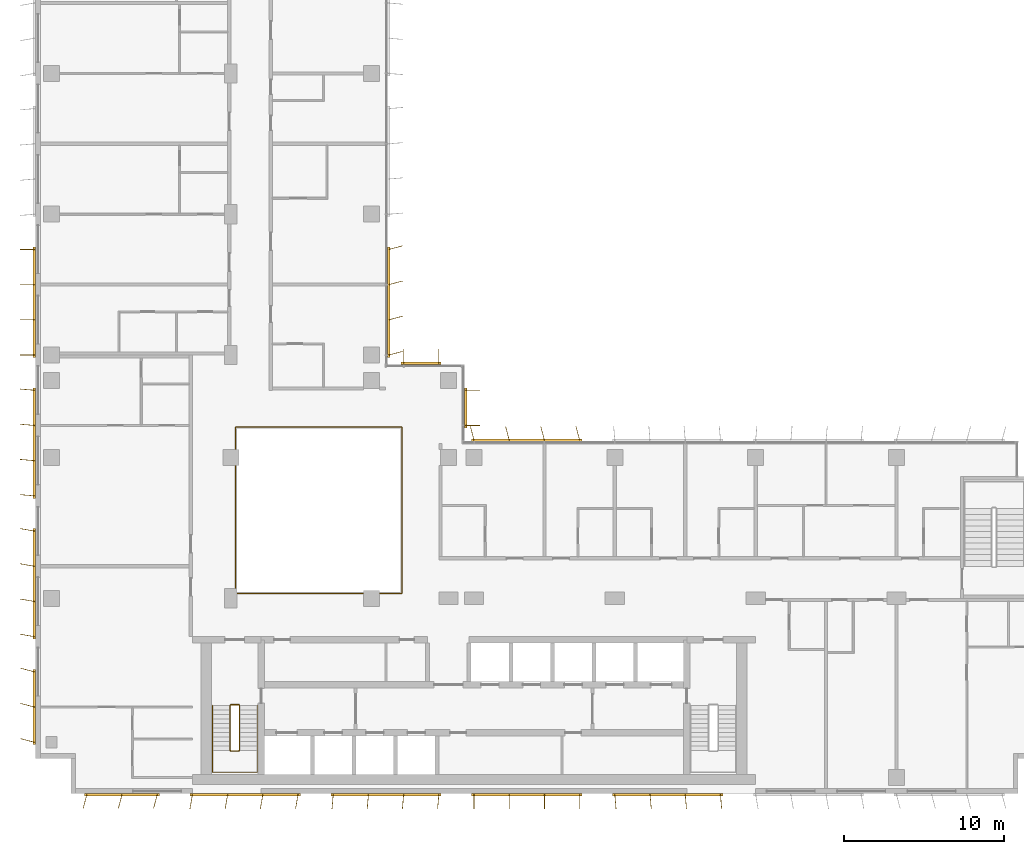
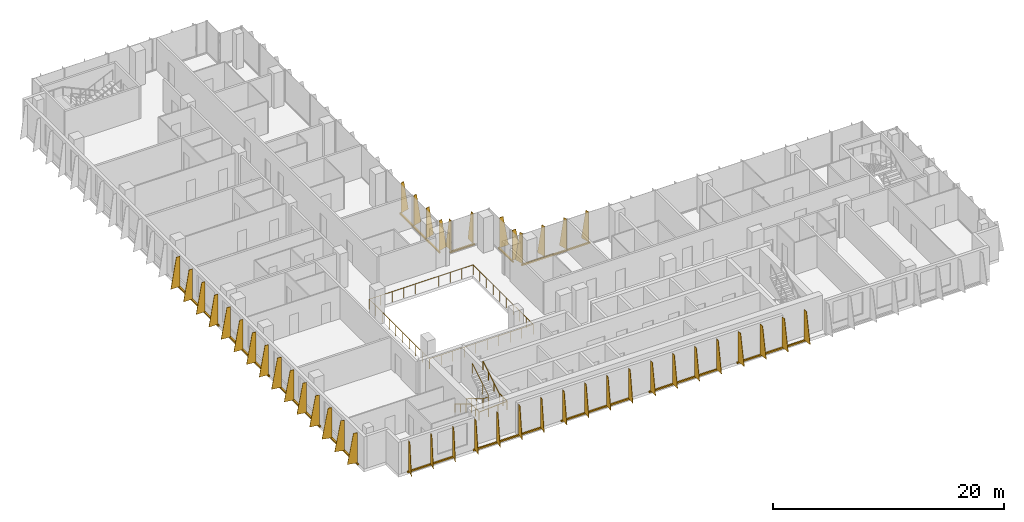
# One storey, part 19 of 21: 13 shading devices, 3 railings.
"""IFC4 building model written with IfcOpenShell, lengths in metres."""

from ifc_helpers import new_model, si_unit, direction, frame, origin, origin_2d, place, context, subcontext, project, spatial, polyline, rectangle, circle, outline, extrude, source, transform, mapped, material, layer, layer_set, type_object, element, save


model = new_model("IFC4")

# Units and contexts
model_context = context("Model", 3, precision=1e-05, world=origin(), true_north=direction((0.0, 1.0)))
body_context = subcontext(model_context, "Body", "Model", "MODEL_VIEW")
ifc_project = project(units=[si_unit("LENGTHUNIT", "METRE"), si_unit("AREAUNIT", "SQUARE_METRE"), si_unit("VOLUMEUNIT", "CUBIC_METRE"), si_unit("PLANEANGLEUNIT", "RADIAN"), si_unit("MASSUNIT", "GRAM", prefix="KILO")], contexts=[model_context])

# Site, building, storey
site_placement = place(None, origin())
site = spatial("IfcSite", under=ifc_project, at=site_placement, CompositionType="ELEMENT")
building_placement = place(site_placement, origin())
building = spatial("IfcBuilding", under=site, at=building_placement, Name="Kemantara Hotel Tower", CompositionType="ELEMENT")
storey_placement = place(building_placement, frame((0.0, 0.0, 211.699951171875)))
storey = spatial("IfcBuildingStorey", under=building, at=storey_placement, Name="L52", CompositionType="ELEMENT", Elevation=211.699951171875)

# Railings
ifc_material_1 = material(Name="Stainless steel and laminated glass balustrade", Category="steel")
railing_type_1 = type_object("IfcRailingType", Name="ATRIUM GUARD 1100", PredefinedType="GUARDRAIL", material=ifc_material_1)
railing_1_placement = place(storey_placement, frame((12.56005859375, 12.5, 0.0)))
element("IfcRailing", 1, at=railing_1_placement, inside=storey, type_object=railing_type_1, Name="ATRIUM GUARD L52", PredefinedType="GUARDRAIL", context=body_context, shape_type="SweptSolid", body=[
    extrude(circle(Radius=0.02490234375, at=origin_2d()), frame((0.0, 0.0, 1.0751953125), z_axis=(1.0, 0.0, 0.0), x_axis=(0.0, 1.0, 0.0)), (0.0, 0.0, 1.0), 10.33984375),
    extrude(circle(Radius=0.02490234375, at=origin_2d()), frame((10.33984375, 0.0, 1.0751953125), z_axis=(0.0, 1.0, 0.0), x_axis=(-1.0, 0.0, 0.0)), (0.0, 0.0, 1.0), 10.39990234375),
    extrude(circle(Radius=0.02490234375, at=origin_2d()), frame((10.33984375, 10.39990234375, 1.0751953125), z_axis=(-1.0, 0.0, 0.0), x_axis=(0.0, -1.0, 0.0)), (0.0, 0.0, 1.0), 10.39990234375),
    extrude(circle(Radius=0.02490234375, at=origin_2d()), frame((-0.06005859375, 10.39990234375, 1.0751953125), z_axis=(0.0, -1.0, 0.0), x_axis=(1.0, 0.0, 0.0)), (0.0, 0.0, 1.0), 10.39990234375),
    extrude(circle(Radius=0.02001953125, at=origin_2d()), origin(), (0.0, 0.0, 1.0), 1.050048828125),
    extrude(circle(Radius=0.02001953125, at=origin_2d()), frame((1.14892578125, 0.0, 0.0)), (0.0, 0.0, 1.0), 1.050048828125),
    extrude(circle(Radius=0.02001953125, at=origin_2d()), frame((2.2978515625, 0.0, 0.0)), (0.0, 0.0, 1.0), 1.050048828125),
    extrude(circle(Radius=0.02001953125, at=origin_2d()), frame((3.446533203125, 0.0, 0.0)), (0.0, 0.0, 1.0), 1.050048828125),
    extrude(circle(Radius=0.02001953125, at=origin_2d()), frame((4.595458984375, 0.0, 0.0)), (0.0, 0.0, 1.0), 1.050048828125),
    extrude(circle(Radius=0.02001953125, at=origin_2d()), frame((5.744384765625, 0.0, 0.0)), (0.0, 0.0, 1.0), 1.050048828125),
    extrude(circle(Radius=0.02001953125, at=origin_2d()), frame((6.893310546875, 0.0, 0.0)), (0.0, 0.0, 1.0), 1.050048828125),
    extrude(circle(Radius=0.02001953125, at=origin_2d()), frame((8.0419921875, 0.0, 0.0)), (0.0, 0.0, 1.0), 1.050048828125),
    extrude(circle(Radius=0.02001953125, at=origin_2d()), frame((9.19091796875, 0.0, 0.0)), (0.0, 0.0, 1.0), 1.050048828125),
    extrude(circle(Radius=0.02001953125, at=origin_2d()), frame((10.33984375, 0.0, 0.0)), (0.0, 0.0, 1.0), 1.050048828125),
    extrude(circle(Radius=0.02001953125, at=origin_2d()), frame((10.33984375, 1.155517578125, 0.0)), (0.0, 0.0, 1.0), 1.050048828125),
    extrude(circle(Radius=0.02001953125, at=origin_2d()), frame((10.33984375, 2.31103515625, 0.0)), (0.0, 0.0, 1.0), 1.050048828125),
    extrude(circle(Radius=0.02001953125, at=origin_2d()), frame((10.33984375, 3.466552734375, 0.0)), (0.0, 0.0, 1.0), 1.050048828125),
    extrude(circle(Radius=0.02001953125, at=origin_2d()), frame((10.33984375, 4.6220703125, 0.0)), (0.0, 0.0, 1.0), 1.050048828125),
    extrude(circle(Radius=0.02001953125, at=origin_2d()), frame((10.33984375, 5.77783203125, 0.0)), (0.0, 0.0, 1.0), 1.050048828125),
    extrude(circle(Radius=0.02001953125, at=origin_2d()), frame((10.33984375, 6.933349609375, 0.0)), (0.0, 0.0, 1.0), 1.050048828125),
    extrude(circle(Radius=0.02001953125, at=origin_2d()), frame((10.33984375, 8.0888671875, 0.0)), (0.0, 0.0, 1.0), 1.050048828125),
    extrude(circle(Radius=0.02001953125, at=origin_2d()), frame((10.33984375, 9.244384765625, 0.0)), (0.0, 0.0, 1.0), 1.050048828125),
    extrude(circle(Radius=0.02001953125, at=origin_2d()), frame((10.33984375, 10.39990234375, 0.0)), (0.0, 0.0, 1.0), 1.050048828125),
    extrude(circle(Radius=0.02001953125, at=origin_2d()), frame((9.184326171875, 10.39990234375, 0.0)), (0.0, 0.0, 1.0), 1.050048828125),
    extrude(circle(Radius=0.02001953125, at=origin_2d()), frame((8.02880859375, 10.39990234375, 0.0)), (0.0, 0.0, 1.0), 1.050048828125),
    extrude(circle(Radius=0.02001953125, at=origin_2d()), frame((6.873291015625, 10.39990234375, 0.0)), (0.0, 0.0, 1.0), 1.050048828125),
    extrude(circle(Radius=0.02001953125, at=origin_2d()), frame((5.7177734375, 10.39990234375, 0.0)), (0.0, 0.0, 1.0), 1.050048828125),
    extrude(circle(Radius=0.02001953125, at=origin_2d()), frame((4.56201171875, 10.39990234375, 0.0)), (0.0, 0.0, 1.0), 1.050048828125),
    extrude(circle(Radius=0.02001953125, at=origin_2d()), frame((3.406494140625, 10.39990234375, 0.0)), (0.0, 0.0, 1.0), 1.050048828125),
    extrude(circle(Radius=0.02001953125, at=origin_2d()), frame((2.2509765625, 10.39990234375, 0.0)), (0.0, 0.0, 1.0), 1.050048828125),
    extrude(circle(Radius=0.02001953125, at=origin_2d()), frame((1.095458984375, 10.39990234375, 0.0)), (0.0, 0.0, 1.0), 1.050048828125),
    extrude(circle(Radius=0.02001953125, at=origin_2d()), frame((-0.06005859375, 10.39990234375, 0.0)), (0.0, 0.0, 1.0), 1.050048828125),
    extrude(circle(Radius=0.02001953125, at=origin_2d()), frame((-0.06005859375, 9.244384765625, 0.0)), (0.0, 0.0, 1.0), 1.050048828125),
    extrude(circle(Radius=0.02001953125, at=origin_2d()), frame((-0.06005859375, 8.0888671875, 0.0)), (0.0, 0.0, 1.0), 1.050048828125),
    extrude(circle(Radius=0.02001953125, at=origin_2d()), frame((-0.06005859375, 6.933349609375, 0.0)), (0.0, 0.0, 1.0), 1.050048828125),
    extrude(circle(Radius=0.02001953125, at=origin_2d()), frame((-0.06005859375, 5.77783203125, 0.0)), (0.0, 0.0, 1.0), 1.050048828125),
    extrude(circle(Radius=0.02001953125, at=origin_2d()), frame((-0.06005859375, 4.6220703125, 0.0)), (0.0, 0.0, 1.0), 1.050048828125),
    extrude(circle(Radius=0.02001953125, at=origin_2d()), frame((-0.06005859375, 3.466552734375, 0.0)), (0.0, 0.0, 1.0), 1.050048828125),
    extrude(circle(Radius=0.02001953125, at=origin_2d()), frame((-0.06005859375, 2.31103515625, 0.0)), (0.0, 0.0, 1.0), 1.050048828125),
    extrude(circle(Radius=0.02001953125, at=origin_2d()), frame((-0.06005859375, 1.155517578125, 0.0)), (0.0, 0.0, 1.0), 1.050048828125),
    extrude(circle(Radius=0.02001953125, at=origin_2d()), frame((-0.06005859375, 0.0, 0.0)), (0.0, 0.0, 1.0), 1.050048828125),
])
ifc_material_2 = material(Name="Stainless steel balustrade", Category="steel")
railing_type_2 = type_object("IfcRailingType", Name="Stair guard 1100 mm", PredefinedType="GUARDRAIL", material=ifc_material_2)
railing_2_placement = place(storey_placement, frame((12.75, 5.5, 3.699951171875)))
element("IfcRailing", 2, at=railing_2_placement, inside=storey, type_object=railing_type_2, Name="L52 ST1 stair guard 1", PredefinedType="GUARDRAIL", context=body_context, shape_type="SweptSolid", body=[
    extrude(circle(Radius=0.02392578125, at=origin_2d()), frame((0.0, 0.0, 1.076171875), z_axis=(0.0, -0.857275202839, -0.514858452973), x_axis=(1.0, 0.0, 0.0)), (0.0, 0.0, 1.0), 3.26611328125),
    extrude(circle(Radius=0.02392578125, at=origin_2d()), frame((0.0, -2.800048828125, -0.60546875), z_axis=(-0.274243871929, -0.274243871929, -0.92172696468), x_axis=(0.707106781187, -0.707106781187, 0.0)), (0.0, 0.0, 1.0), 0.1826171875),
    extrude(circle(Radius=0.02392578125, at=origin_2d()), frame((-0.050048828125, -2.85009765625, -0.77392578125), z_axis=(-1.0, 0.0, 0.0), x_axis=(0.0, -1.0, 0.0)), (0.0, 0.0, 1.0), 0.5),
    extrude(circle(Radius=0.02392578125, at=origin_2d()), frame((-0.550048828125, -2.85009765625, -0.77392578125), z_axis=(-0.707106781187, 0.707106781187, 0.0), x_axis=(-0.707106781187, -0.707106781187, 0.0)), (0.0, 0.0, 1.0), 0.07080078125),
    extrude(circle(Radius=0.02392578125, at=origin_2d()), frame((-0.60009765625, -2.800048828125, -0.77392578125), z_axis=(0.0, 0.857242210791, -0.514913383045), x_axis=(-1.0, 0.0, 0.0)), (0.0, 0.0, 1.0), 3.266357421875),
    extrude(circle(Radius=0.02392578125, at=origin_2d()), frame((-0.60009765625, 0.0, -2.45556640625), z_axis=(0.274243871929, 0.274243871929, -0.92172696468), x_axis=(-0.707106781187, 0.707106781187, 0.0)), (0.0, 0.0, 1.0), 0.1826171875),
    extrude(circle(Radius=0.02392578125, at=origin_2d()), frame((-0.550048828125, 0.050048828125, -2.6240234375), z_axis=(1.0, 0.0, 0.0), x_axis=(0.0, 1.0, 0.0)), (0.0, 0.0, 1.0), 0.5),
    extrude(circle(Radius=0.02099609375, at=origin_2d()), origin(), (0.0, 0.0, 1.0), 1.052001953125),
    extrude(circle(Radius=0.02099609375, at=origin_2d()), frame((0.0, -0.933349609375, -0.560546875)), (0.0, 0.0, 1.0), 1.052001953125),
    extrude(circle(Radius=0.02099609375, at=origin_2d()), frame((0.0, -1.86669921875, -1.12109375)), (0.0, 0.0, 1.0), 1.052001953125),
    extrude(circle(Radius=0.02099609375, at=origin_2d()), frame((0.0, -2.800048828125, -1.681640625)), (0.0, 0.0, 1.0), 1.052001953125),
    extrude(circle(Radius=0.02099609375, at=origin_2d()), frame((-0.050048828125, -2.85009765625, -1.849853515625)), (0.0, 0.0, 1.0), 1.052001953125),
    extrude(circle(Radius=0.02099609375, at=origin_2d()), frame((-0.550048828125, -2.85009765625, -1.849853515625)), (0.0, 0.0, 1.0), 1.052001953125),
    extrude(circle(Radius=0.02099609375, at=origin_2d()), frame((-0.60009765625, -2.800048828125, -1.849853515625)), (0.0, 0.0, 1.0), 1.052001953125),
    extrude(circle(Radius=0.02099609375, at=origin_2d()), frame((-0.60009765625, -1.86669921875, -2.410400390625)), (0.0, 0.0, 1.0), 1.052001953125),
    extrude(circle(Radius=0.02099609375, at=origin_2d()), frame((-0.60009765625, -0.933349609375, -2.97119140625)), (0.0, 0.0, 1.0), 1.052001953125),
    extrude(circle(Radius=0.02099609375, at=origin_2d()), frame((-0.60009765625, 0.0, -3.53173828125)), (0.0, 0.0, 1.0), 1.052001953125),
    extrude(circle(Radius=0.02099609375, at=origin_2d()), frame((-0.550048828125, 0.050048828125, -3.699951171875)), (0.0, 0.0, 1.0), 1.052001953125),
    extrude(circle(Radius=0.02099609375, at=origin_2d()), frame((-0.050048828125, 0.050048828125, -3.699951171875)), (0.0, 0.0, 1.0), 1.052001953125),
])
railing_type_3 = type_object("IfcRailingType", Name="Stair handrail 900 mm", PredefinedType="HANDRAIL", material=ifc_material_2)
railing_3_placement = place(storey_placement, frame((11.050048828125, 5.5, 0.168212890625)))
element("IfcRailing", 3, at=railing_3_placement, inside=storey, type_object=railing_type_3, Name="L52 ST1 stair handrail 1", PredefinedType="HANDRAIL", context=body_context, shape_type="SweptSolid", body=[
    extrude(circle(Radius=0.02392578125, at=origin_2d()), frame((0.0, 0.0, 0.8759765625), z_axis=(0.0, -0.857242210791, 0.514913383045), x_axis=(1.0, 0.0, 0.0)), (0.0, 0.0, 1.0), 3.266357421875),
    extrude(circle(Radius=0.02392578125, at=origin_2d()), frame((0.0, -2.800048828125, 2.5576171875), z_axis=(0.0, -1.0, 0.0), x_axis=(1.0, 0.0, 0.0)), (0.0, 0.0, 1.0), 1.3798828125),
    extrude(circle(Radius=0.02392578125, at=origin_2d()), frame((0.0, -4.179931640625, 2.5576171875), z_axis=(0.998200367801, 0.0, 0.059966871865), x_axis=(0.0, 1.0, 0.0)), (0.0, 0.0, 1.0), 2.80517578125),
    extrude(circle(Radius=0.02392578125, at=origin_2d()), frame((2.800048828125, -4.179931640625, 2.72607421875), z_axis=(0.0, 1.0, 0.0), x_axis=(-1.0, 0.0, 0.0)), (0.0, 0.0, 1.0), 1.3798828125),
    extrude(circle(Radius=0.02392578125, at=origin_2d()), frame((2.800048828125, -2.800048828125, 2.72607421875), z_axis=(0.0, 0.857275202839, 0.514858452973), x_axis=(-1.0, 0.0, 0.0)), (0.0, 0.0, 1.0), 3.26611328125),
    extrude(circle(Radius=0.02099609375, at=origin_2d()), origin(), (0.0, 0.0, 1.0), 0.851806640625),
    extrude(circle(Radius=0.02099609375, at=origin_2d()), frame((0.0, -0.933349609375, 0.560546875)), (0.0, 0.0, 1.0), 0.851806640625),
    extrude(circle(Radius=0.02099609375, at=origin_2d()), frame((0.0, -1.86669921875, 1.121337890625)), (0.0, 0.0, 1.0), 0.851806640625),
    extrude(circle(Radius=0.02099609375, at=origin_2d()), frame((0.0, -2.800048828125, 1.681884765625)), (0.0, 0.0, 1.0), 0.851806640625),
    extrude(circle(Radius=0.02099609375, at=origin_2d()), frame((0.0, -3.489990234375, 1.681884765625)), (0.0, 0.0, 1.0), 0.851806640625),
    extrude(circle(Radius=0.02099609375, at=origin_2d()), frame((0.0, -4.179931640625, 1.681884765625)), (0.0, 0.0, 1.0), 0.851806640625),
    extrude(circle(Radius=0.02099609375, at=origin_2d()), frame((0.933349609375, -4.179931640625, 1.738037109375)), (0.0, 0.0, 1.0), 0.851806640625),
    extrude(circle(Radius=0.02099609375, at=origin_2d()), frame((1.86669921875, -4.179931640625, 1.7939453125)), (0.0, 0.0, 1.0), 0.851806640625),
    extrude(circle(Radius=0.02099609375, at=origin_2d()), frame((2.800048828125, -4.179931640625, 1.85009765625)), (0.0, 0.0, 1.0), 0.851806640625),
    extrude(circle(Radius=0.02099609375, at=origin_2d()), frame((2.800048828125, -3.489990234375, 1.85009765625)), (0.0, 0.0, 1.0), 0.851806640625),
    extrude(circle(Radius=0.02099609375, at=origin_2d()), frame((2.800048828125, -2.800048828125, 1.85009765625)), (0.0, 0.0, 1.0), 0.851806640625),
    extrude(circle(Radius=0.02099609375, at=origin_2d()), frame((2.800048828125, -1.86669921875, 2.41064453125)), (0.0, 0.0, 1.0), 0.851806640625),
    extrude(circle(Radius=0.02099609375, at=origin_2d()), frame((2.800048828125, -0.933349609375, 2.97119140625)), (0.0, 0.0, 1.0), 0.851806640625),
    extrude(circle(Radius=0.02099609375, at=origin_2d()), frame((2.800048828125, 0.0, 3.53173828125)), (0.0, 0.0, 1.0), 0.851806640625),
])

# Shading devices
ifc_material_3 = material(Name="Perforated aluminium plate 4 mm bronze anodised", Category="aluminium")
ifc_layer_1 = layer(ifc_material_3, 0.0400390625)
ifc_layer_set_1 = layer_set([ifc_layer_1], Name="Perforated aluminium plate 4 mm bronze anodised")
shading_device_type_1 = type_object("IfcShadingDeviceType", Name="SCREEN FIN CASSETTE, 3 BLADES AT -15.0 DEG, 3200 HIGH", PredefinedType="USERDEFINED", material=ifc_layer_set_1)
shared_shape_1 = source(origin(), body_context, "Body", "SweptSolid", [
    extrude(rectangle(XDim=4.699951171875, YDim=0.14990234375, at=origin_2d()), frame((2.199951171875, -0.074951171875, -0.14990234375), z_axis=(0.0, 0.0, 1.0), x_axis=(1.0, 0.0, 0.0)), (0.0, 0.0, 1.0), 0.14990234375),
    extrude(outline(polyline([(0.0, 0.0), (0.89990234375, 0.0), (0.35009765625, 3.199951171875), (0.0, 3.199951171875), (0.0, 0.0)])), frame((0.019287109375, -0.080078125, 0.0), z_axis=(-0.966437683387, 0.256901156343, 0.0), x_axis=(-0.256901156343, -0.966437683387, 0.0)), (0.0, 0.0, 1.0), 0.039794921875),
    extrude(outline(polyline([(0.0, 0.0), (0.89990234375, 0.0), (0.35009765625, 3.199951171875), (0.0, 3.199951171875), (0.0, 0.0)])), frame((2.21923828125, -0.080078125, 0.0), z_axis=(-0.966437683387, 0.256901156343, 0.0), x_axis=(-0.256901156343, -0.966437683387, 0.0)), (0.0, 0.0, 1.0), 0.039794921875),
    extrude(outline(polyline([(0.0, 0.0), (0.89990234375, 0.0), (0.35009765625, 3.199951171875), (0.0, 3.199951171875), (0.0, 0.0)])), frame((4.41943359375, -0.080078125, 0.0), z_axis=(-0.966837822169, 0.255391122837, 0.0), x_axis=(-0.255391122837, -0.966837822169, 0.0)), (0.0, 0.0, 1.0), 0.0400390625),
])
for number, where, z_axis, x_axis, name in (
    (4, (0.0, 7.60009765625, 0.10009765625), (0.0, 0.0, 1.0), (0.0, -1.0, 0.0), "SCREEN FIN CASSETTE L52 T3-R05-7"),
    (5, (3.199951171875, 0.0, 0.10009765625), (0.0, 0.0, 1.0), (1.0, 0.0, 0.0), "SCREEN FIN CASSETTE L52 T3-R08-1"),
):
    element("IfcShadingDevice", number, at=place(storey_placement, frame(where, z_axis=z_axis, x_axis=x_axis)), inside=storey, type_object=shading_device_type_1, Name=name, ObjectType="SCREEN FIN", PredefinedType="USERDEFINED", context=body_context, shape_type="MappedRepresentation", body=[
        mapped(shared_shape_1, transform((0.0, 0.0, 0.0))),
    ])
ifc_layer_2 = layer(ifc_material_3, 0.0400390625)
ifc_layer_set_2 = layer_set([ifc_layer_2], Name="Perforated aluminium plate 4 mm bronze anodised")
shading_device_type_2 = type_object("IfcShadingDeviceType", Name="SCREEN FIN CASSETTE, 4 BLADES AT -10.0 DEG, 3200 HIGH", PredefinedType="USERDEFINED", material=ifc_layer_set_2)
shared_shape_2 = source(origin(), body_context, "Body", "SweptSolid", [
    extrude(rectangle(XDim=6.89990234375, YDim=0.14990234375, at=origin_2d()), frame((3.300048828125, -0.074951171875, -0.14990234375), z_axis=(0.0, 0.0, 1.0), x_axis=(1.0, 0.0, 0.0)), (0.0, 0.0, 1.0), 0.14990234375),
    extrude(outline(polyline([(0.0, 0.0), (0.89990234375, 0.0), (0.35009765625, 3.199951171875), (0.0, 3.199951171875), (0.0, 0.0)])), frame((0.019775390625, -0.078369140625, 0.0), z_axis=(-0.985389793052, 0.170314285219, 0.0), x_axis=(-0.170314285219, -0.985389793052, 0.0)), (0.0, 0.0, 1.0), 0.0400390625),
    extrude(outline(polyline([(0.0, 0.0), (0.89990234375, 0.0), (0.35009765625, 3.199951171875), (0.0, 3.199951171875), (0.0, 0.0)])), frame((2.2197265625, -0.078369140625, 0.0), z_axis=(-0.98521175482, 0.171341174751, 0.0), x_axis=(-0.171341174751, -0.98521175482, 0.0)), (0.0, 0.0, 1.0), 0.039794921875),
    extrude(outline(polyline([(0.0, 0.0), (0.89990234375, 0.0), (0.35009765625, 3.199951171875), (0.0, 3.199951171875), (0.0, 0.0)])), frame((4.419677734375, -0.078369140625, 0.0), z_axis=(-0.98521175482, 0.171341174751, 0.0), x_axis=(-0.171341174751, -0.98521175482, 0.0)), (0.0, 0.0, 1.0), 0.039794921875),
    extrude(outline(polyline([(0.0, 0.0), (0.89990234375, 0.0), (0.35009765625, 3.199951171875), (0.0, 3.199951171875), (0.0, 0.0)])), frame((6.61962890625, -0.078369140625, 0.0), z_axis=(-0.98521175482, 0.171341174751, 0.0), x_axis=(-0.171341174751, -0.98521175482, 0.0)), (0.0, 0.0, 1.0), 0.039794921875),
])
for number, where, z_axis, x_axis, name in (
    (6, (0.0, 16.39990234375, 0.10009765625), (0.0, 0.0, 1.0), (0.0, -1.0, 0.0), "SCREEN FIN CASSETTE L52 T3-R05-6"),
    (7, (9.800048828125, 0.0, 0.10009765625), (0.0, 0.0, 1.0), (1.0, 0.0, 0.0), "SCREEN FIN CASSETTE L52 T3-R08-2"),
):
    element("IfcShadingDevice", number, at=place(storey_placement, frame(where, z_axis=z_axis, x_axis=x_axis)), inside=storey, type_object=shading_device_type_2, Name=name, ObjectType="SCREEN FIN", PredefinedType="USERDEFINED", context=body_context, shape_type="MappedRepresentation", body=[
        mapped(shared_shape_2, transform((0.0, 0.0, 0.0))),
    ])
ifc_layer_3 = layer(ifc_material_3, 0.0400390625)
ifc_layer_set_3 = layer_set([ifc_layer_3], Name="Perforated aluminium plate 4 mm bronze anodised")
shading_device_type_3 = type_object("IfcShadingDeviceType", Name="SCREEN FIN CASSETTE, 4 BLADES AT -5.0 DEG, 3200 HIGH", PredefinedType="USERDEFINED", material=ifc_layer_set_3)
shared_shape_3 = source(origin(), body_context, "Body", "SweptSolid", [
    extrude(rectangle(XDim=6.89990234375, YDim=0.14990234375, at=origin_2d()), frame((3.300048828125, -0.074951171875, -0.14990234375), z_axis=(0.0, 0.0, 1.0), x_axis=(1.0, 0.0, 0.0)), (0.0, 0.0, 1.0), 0.14990234375),
    extrude(outline(polyline([(0.0, 0.0), (0.89990234375, 0.0), (0.35009765625, 3.199951171875), (0.0, 3.199951171875), (0.0, 0.0)])), frame((0.02001953125, -0.07666015625, 0.0), z_axis=(-0.996376129781, 0.085056498884, 0.0), x_axis=(-0.085056498884, -0.996376129781, 0.0)), (0.0, 0.0, 1.0), 0.040283203125),
    extrude(outline(polyline([(0.0, 0.0), (0.89990234375, 0.0), (0.35009765625, 3.199951171875), (0.0, 3.199951171875), (0.0, 0.0)])), frame((2.219970703125, -0.07666015625, 0.0), z_axis=(-0.996331773833, 0.085574508182, 0.0), x_axis=(-0.085574508182, -0.996331773833, 0.0)), (0.0, 0.0, 1.0), 0.0400390625),
    extrude(outline(polyline([(0.0, 0.0), (0.89990234375, 0.0), (0.35009765625, 3.199951171875), (0.0, 3.199951171875), (0.0, 0.0)])), frame((4.419921875, -0.07666015625, 0.0), z_axis=(-0.996331773833, 0.085574508182, 0.0), x_axis=(-0.085574508182, -0.996331773833, 0.0)), (0.0, 0.0, 1.0), 0.0400390625),
    extrude(outline(polyline([(0.0, 0.0), (0.89990234375, 0.0), (0.35009765625, 3.199951171875), (0.0, 3.199951171875), (0.0, 0.0)])), frame((6.619873046875, -0.07666015625, 0.0), z_axis=(-0.996331773833, 0.085574508182, 0.0), x_axis=(-0.085574508182, -0.996331773833, 0.0)), (0.0, 0.0, 1.0), 0.0400390625),
])
for number, where, z_axis, x_axis, name in (
    (8, (0.0, 25.199951171875, 0.10009765625), (0.0, 0.0, 1.0), (0.0, -1.0, 0.0), "SCREEN FIN CASSETTE L52 T3-R05-5"),
    (9, (18.60009765625, 0.0, 0.10009765625), (0.0, 0.0, 1.0), (1.0, 0.0, 0.0), "SCREEN FIN CASSETTE L52 T3-R08-3"),
):
    element("IfcShadingDevice", number, at=place(storey_placement, frame(where, z_axis=z_axis, x_axis=x_axis)), inside=storey, type_object=shading_device_type_3, Name=name, ObjectType="SCREEN FIN", PredefinedType="USERDEFINED", context=body_context, shape_type="MappedRepresentation", body=[
        mapped(shared_shape_3, transform((0.0, 0.0, 0.0))),
    ])
ifc_layer_4 = layer(ifc_material_3, 0.0400390625)
ifc_layer_set_4 = layer_set([ifc_layer_4], Name="Perforated aluminium plate 4 mm bronze anodised")
shading_device_type_4 = type_object("IfcShadingDeviceType", Name="SCREEN FIN CASSETTE, 4 BLADES AT +0.0 DEG, 3200 HIGH", PredefinedType="USERDEFINED", material=ifc_layer_set_4)
shared_shape_4 = source(origin(), body_context, "Body", "SweptSolid", [
    extrude(rectangle(XDim=6.89990234375, YDim=0.14990234375, at=origin_2d()), frame((3.300048828125, -0.074951171875, -0.14990234375), z_axis=(0.0, 0.0, 1.0), x_axis=(1.0, 0.0, 0.0)), (0.0, 0.0, 1.0), 0.14990234375),
    extrude(outline(polyline([(0.0, 0.0), (0.89990234375, 0.0), (0.35009765625, 3.199951171875), (0.0, 3.199951171875), (0.0, 0.0)])), frame((0.02001953125, -0.074951171875, 0.0), z_axis=(-1.0, 0.0, 0.0), x_axis=(0.0, -1.0, 0.0)), (0.0, 0.0, 1.0), 0.0400390625),
    extrude(outline(polyline([(0.0, 0.0), (0.89990234375, 0.0), (0.35009765625, 3.199951171875), (0.0, 3.199951171875), (0.0, 0.0)])), frame((2.219970703125, -0.074951171875, 0.0), z_axis=(-1.0, 0.0, 0.0), x_axis=(0.0, -1.0, 0.0)), (0.0, 0.0, 1.0), 0.0400390625),
    extrude(outline(polyline([(0.0, 0.0), (0.89990234375, 0.0), (0.35009765625, 3.199951171875), (0.0, 3.199951171875), (0.0, 0.0)])), frame((4.419921875, -0.074951171875, 0.0), z_axis=(-1.0, 0.0, 0.0), x_axis=(0.0, -1.0, 0.0)), (0.0, 0.0, 1.0), 0.0400390625),
    extrude(outline(polyline([(0.0, 0.0), (0.89990234375, 0.0), (0.35009765625, 3.199951171875), (0.0, 3.199951171875), (0.0, 0.0)])), frame((6.6201171875, -0.074951171875, 0.0), z_axis=(-1.0, 0.0, 0.0), x_axis=(0.0, -1.0, 0.0)), (0.0, 0.0, 1.0), 0.0400390625),
])
for number, where, z_axis, x_axis, name in (
    (10, (0.0, 34.0, 0.10009765625), (0.0, 0.0, 1.0), (0.0, -1.0, 0.0), "SCREEN FIN CASSETTE L52 T3-R05-4"),
    (11, (27.39990234375, 0.0, 0.10009765625), (0.0, 0.0, 1.0), (1.0, 0.0, 0.0), "SCREEN FIN CASSETTE L52 T3-R08-4"),
):
    element("IfcShadingDevice", number, at=place(storey_placement, frame(where, z_axis=z_axis, x_axis=x_axis)), inside=storey, type_object=shading_device_type_4, Name=name, ObjectType="SCREEN FIN", PredefinedType="USERDEFINED", context=body_context, shape_type="MappedRepresentation", body=[
        mapped(shared_shape_4, transform((0.0, 0.0, 0.0))),
    ])
ifc_layer_5 = layer(ifc_material_3, 0.0400390625)
ifc_layer_set_5 = layer_set([ifc_layer_5], Name="Perforated aluminium plate 4 mm bronze anodised")
shading_device_type_5 = type_object("IfcShadingDeviceType", Name="SCREEN FIN CASSETTE, 4 BLADES AT +5.0 DEG, 3200 HIGH", PredefinedType="USERDEFINED", material=ifc_layer_set_5)
shared_shape_5 = source(origin(), body_context, "Body", "SweptSolid", [
    extrude(rectangle(XDim=6.89990234375, YDim=0.14990234375, at=origin_2d()), frame((3.300048828125, -0.074951171875, -0.14990234375), z_axis=(0.0, 0.0, 1.0), x_axis=(1.0, 0.0, 0.0)), (0.0, 0.0, 1.0), 0.14990234375),
    extrude(outline(polyline([(0.0, 0.0), (0.89990234375, 0.0), (0.35009765625, 3.199951171875), (0.0, 3.199951171875), (0.0, 0.0)])), frame((0.02001953125, -0.0732421875, 0.0), z_axis=(-0.996376129781, -0.085056498884, 0.0), x_axis=(0.085056498884, -0.996376129781, 0.0)), (0.0, 0.0, 1.0), 0.040283203125),
    extrude(outline(polyline([(0.0, 0.0), (0.89990234375, 0.0), (0.35009765625, 3.199951171875), (0.0, 3.199951171875), (0.0, 0.0)])), frame((2.219970703125, -0.0732421875, 0.0), z_axis=(-0.996331773833, -0.085574508182, 0.0), x_axis=(0.085574508182, -0.996331773833, 0.0)), (0.0, 0.0, 1.0), 0.0400390625),
    extrude(outline(polyline([(0.0, 0.0), (0.89990234375, 0.0), (0.35009765625, 3.199951171875), (0.0, 3.199951171875), (0.0, 0.0)])), frame((4.419921875, -0.0732421875, 0.0), z_axis=(-0.996331773833, -0.085574508182, 0.0), x_axis=(0.085574508182, -0.996331773833, 0.0)), (0.0, 0.0, 1.0), 0.0400390625),
    extrude(outline(polyline([(0.0, 0.0), (0.89990234375, 0.0), (0.35009765625, 3.199951171875), (0.0, 3.199951171875), (0.0, 0.0)])), frame((6.619873046875, -0.0732421875, 0.0), z_axis=(-0.996331773833, -0.085574508182, 0.0), x_axis=(0.085574508182, -0.996331773833, 0.0)), (0.0, 0.0, 1.0), 0.0400390625),
])
shading_device_placement = place(storey_placement, frame((36.199951171875, 0.0, 0.10009765625), z_axis=(0.0, 0.0, 1.0), x_axis=(1.0, 0.0, 0.0)))
element("IfcShadingDevice", 12, at=shading_device_placement, inside=storey, type_object=shading_device_type_5, Name="SCREEN FIN CASSETTE L52 T3-R08-5", ObjectType="SCREEN FIN", PredefinedType="USERDEFINED", context=body_context, shape_type="MappedRepresentation", body=[
    mapped(shared_shape_5, transform((0.0, 0.0, 0.0))),
])
ifc_layer_6 = layer(ifc_material_3, 0.0400390625)
ifc_layer_set_6 = layer_set([ifc_layer_6], Name="Perforated aluminium plate 4 mm bronze anodised")
shading_device_type_6 = type_object("IfcShadingDeviceType", Name="SCREEN FIN CASSETTE, 4 BLADES AT +15.0 DEG, 3200 HIGH", PredefinedType="USERDEFINED", material=ifc_layer_set_6)
shared_shape_6 = source(origin(), body_context, "Body", "SweptSolid", [
    extrude(rectangle(XDim=6.89990234375, YDim=0.14990234375, at=origin_2d()), frame((3.300048828125, -0.074951171875, -0.14990234375), z_axis=(0.0, 0.0, 1.0), x_axis=(1.0, 0.0, 0.0)), (0.0, 0.0, 1.0), 0.14990234375),
    extrude(outline(polyline([(0.0, 0.0), (0.89990234375, 0.0), (0.35009765625, 3.199951171875), (0.0, 3.199951171875), (0.0, 0.0)])), frame((0.019287109375, -0.06982421875, 0.0), z_axis=(-0.966437683387, -0.256901156343, 0.0), x_axis=(0.256901156343, -0.966437683387, 0.0)), (0.0, 0.0, 1.0), 0.039794921875),
    extrude(outline(polyline([(0.0, 0.0), (0.89990234375, 0.0), (0.35009765625, 3.199951171875), (0.0, 3.199951171875), (0.0, 0.0)])), frame((2.21923828125, -0.06982421875, 0.0), z_axis=(-0.966437683387, -0.256901156343, 0.0), x_axis=(0.256901156343, -0.966437683387, 0.0)), (0.0, 0.0, 1.0), 0.039794921875),
    extrude(outline(polyline([(0.0, 0.0), (0.89990234375, 0.0), (0.35009765625, 3.199951171875), (0.0, 3.199951171875), (0.0, 0.0)])), frame((4.41943359375, -0.06982421875, 0.0), z_axis=(-0.966837822169, -0.255391122837, 0.0), x_axis=(0.255391122837, -0.966837822169, 0.0)), (0.0, 0.0, 1.0), 0.0400390625),
    extrude(outline(polyline([(0.0, 0.0), (0.89990234375, 0.0), (0.35009765625, 3.199951171875), (0.0, 3.199951171875), (0.0, 0.0)])), frame((6.619384765625, -0.06982421875, 0.0), z_axis=(-0.966837822169, -0.255391122837, 0.0), x_axis=(0.255391122837, -0.966837822169, 0.0)), (0.0, 0.0, 1.0), 0.0400390625),
])
for number, where, z_axis, x_axis, name in (
    (13, (34.0, 22.0, 0.10009765625), (0.0, 0.0, 1.0), (-1.0, 0.0, 0.0), "SCREEN FIN CASSETTE L52 T3-R14-4"),
    (14, (22.0, 27.39990234375, 0.10009765625), (0.0, 0.0, 1.0), (0.0, 1.0, 0.0), "SCREEN FIN CASSETTE L52 T3-R17-1"),
):
    element("IfcShadingDevice", number, at=place(storey_placement, frame(where, z_axis=z_axis, x_axis=x_axis)), inside=storey, type_object=shading_device_type_6, Name=name, ObjectType="SCREEN FIN", PredefinedType="USERDEFINED", context=body_context, shape_type="MappedRepresentation", body=[
        mapped(shared_shape_6, transform((0.0, 0.0, 0.0))),
    ])
ifc_layer_7 = layer(ifc_material_3, 0.0400390625)
ifc_layer_set_7 = layer_set([ifc_layer_7], Name="Perforated aluminium plate 4 mm bronze anodised")
shading_device_type_7 = type_object("IfcShadingDeviceType", Name="SCREEN FIN CASSETTE, 2 BLADES AT +0.0 DEG, 3200 HIGH", PredefinedType="USERDEFINED", material=ifc_layer_set_7)
shared_shape_7 = source(origin(), body_context, "Body", "SweptSolid", [
    extrude(rectangle(XDim=2.5, YDim=0.14990234375, at=origin_2d()), frame((1.10009765625, -0.074951171875, -0.14990234375), z_axis=(0.0, 0.0, 1.0), x_axis=(1.0, 0.0, 0.0)), (0.0, 0.0, 1.0), 0.14990234375),
    extrude(outline(polyline([(0.0, 0.0), (0.89990234375, 0.0), (0.35009765625, 3.199951171875), (0.0, 3.199951171875), (0.0, 0.0)])), frame((0.02001953125, -0.074951171875, 0.0), z_axis=(-1.0, 0.0, 0.0), x_axis=(0.0, -1.0, 0.0)), (0.0, 0.0, 1.0), 0.0400390625),
    extrude(outline(polyline([(0.0, 0.0), (0.89990234375, 0.0), (0.35009765625, 3.199951171875), (0.0, 3.199951171875), (0.0, 0.0)])), frame((2.219970703125, -0.074951171875, 0.0), z_axis=(-1.0, 0.0, 0.0), x_axis=(0.0, -1.0, 0.0)), (0.0, 0.0, 1.0), 0.0400390625),
])
for number, where, z_axis, x_axis, name in (
    (15, (26.800048828125, 23.0, 0.10009765625), (0.0, 0.0, 1.0), (0.0, 1.0, 0.0), "SCREEN FIN CASSETTE L52 T3-R15-1"),
    (16, (25.199951171875, 26.800048828125, 0.10009765625), (0.0, 0.0, 1.0), (-1.0, 0.0, 0.0), "SCREEN FIN CASSETTE L52 T3-R16-1"),
):
    element("IfcShadingDevice", number, at=place(storey_placement, frame(where, z_axis=z_axis, x_axis=x_axis)), inside=storey, type_object=shading_device_type_7, Name=name, ObjectType="SCREEN FIN", PredefinedType="USERDEFINED", context=body_context, shape_type="MappedRepresentation", body=[
        mapped(shared_shape_7, transform((0.0, 0.0, 0.0))),
    ])

save(model, "model.ifc")
